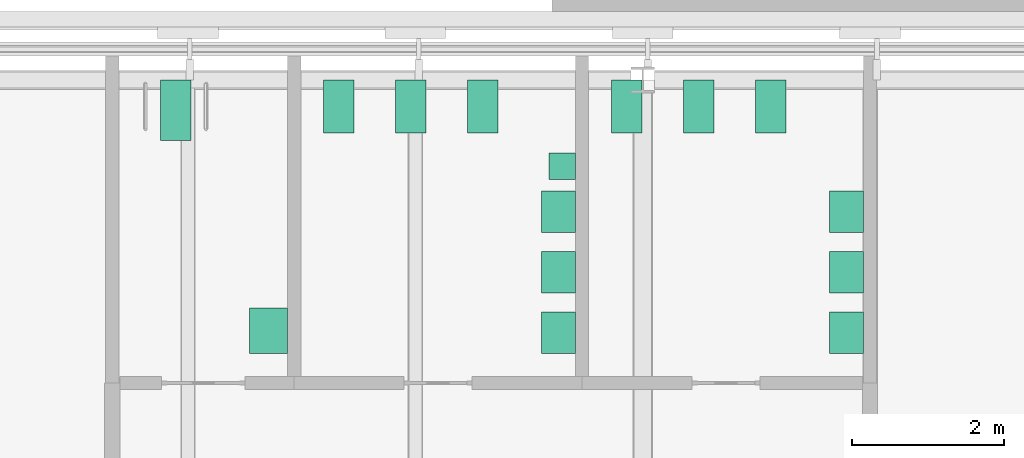
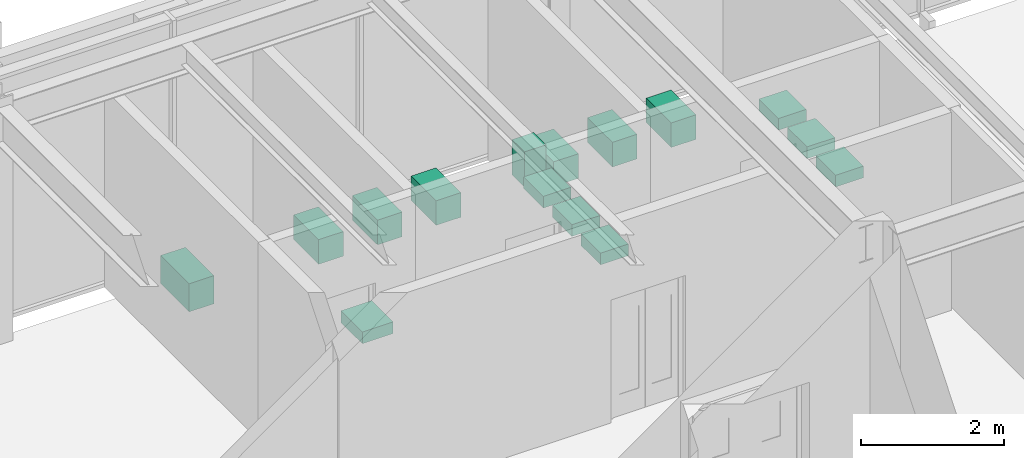
# One storey, part 24 of 24: 15 sanitary terminals.
"""IFC4 building model written with IfcOpenShell, lengths in metres."""

from ifc_helpers import new_model, si_unit, direction, frame, origin, origin_2d, place, context, subcontext, project, spatial, rectangle, extrude, material, type_object, element, save


model = new_model("IFC4")

# Units and contexts
model_context = context("Model", 3, precision=1e-05, world=origin(), true_north=direction((0.0, 1.0)))
body_context = subcontext(model_context, "Body", "Model", "MODEL_VIEW")
ifc_project = project(units=[si_unit("LENGTHUNIT", "METRE"), si_unit("AREAUNIT", "SQUARE_METRE"), si_unit("VOLUMEUNIT", "CUBIC_METRE"), si_unit("PLANEANGLEUNIT", "RADIAN"), si_unit("MASSUNIT", "GRAM", prefix="KILO")], contexts=[model_context])

# Site, building, storey
site_placement = place(None, origin())
site = spatial("IfcSite", under=ifc_project, at=site_placement, CompositionType="ELEMENT")
building_placement = place(site_placement, origin())
building = spatial("IfcBuilding", under=site, at=building_placement, Name="Baradari Gate Terminus", CompositionType="ELEMENT")
storey_placement = place(building_placement, frame((0.0, 0.0, 32.699951171875)))
storey = spatial("IfcBuildingStorey", under=building, at=storey_placement, Name="L07", CompositionType="ELEMENT", Elevation=32.699951171875)

# Sanitary terminals
ifc_material_1 = material(Name="Vitreous china", Category="ceramic")
sanitary_terminal_type_1 = type_object("IfcSanitaryTerminalType", Name="Accessible WC pan SW-5", PredefinedType="TOILETPAN", material=ifc_material_1)
sanitary_terminal_1_placement = place(storey_placement, frame((38.83740234375, 143.60009765625, 0.0), z_axis=(0.0, 0.0, 1.0), x_axis=(1.0, 0.0, 0.0)))
element("IfcSanitaryTerminal", 1, at=sanitary_terminal_1_placement, inside=storey, type_object=sanitary_terminal_type_1, Name="Accessible WC pan Accessible WC", PredefinedType="TOILETPAN", context=body_context, shape_type="SweptSolid", body=[
    extrude(rectangle(XDim=0.39990234375, YDim=0.800048828125, at=origin_2d()), origin(), (0.0, 0.0, 1.0), 0.47998046875),
])
ifc_material_2 = material(Name="Vitreous china", Category="ceramic")
sanitary_terminal_type_2 = type_object("IfcSanitaryTerminalType", Name="Accessible wash basin SW-6", PredefinedType="WASHHANDBASIN", material=ifc_material_2)
sanitary_terminal_2_placement = place(storey_placement, frame((40.0625, 140.6875, 0.75), z_axis=(0.0, 0.0, 1.0), x_axis=(1.0, 0.0, 0.0)))
element("IfcSanitaryTerminal", 2, at=sanitary_terminal_2_placement, inside=storey, type_object=sanitary_terminal_type_2, Name="Accessible wash basin Accessible WC", PredefinedType="WASHHANDBASIN", context=body_context, shape_type="SweptSolid", body=[
    extrude(rectangle(XDim=0.5, YDim=0.60009765625, at=origin_2d()), origin(), (0.0, 0.0, 1.0), 0.199951171875),
])
ifc_material_3 = material(Name="Vitreous china", Category="ceramic")
sanitary_terminal_type_3 = type_object("IfcSanitaryTerminalType", Name="Urinal SW-3", PredefinedType="URINAL", material=ifc_material_3)
sanitary_terminal_3_placement = place(storey_placement, frame((43.9375, 142.862548828125, 0.64990234375), z_axis=(0.0, 0.0, 1.0), x_axis=(1.0, 0.0, 0.0)))
element("IfcSanitaryTerminal", 3, at=sanitary_terminal_3_placement, inside=storey, type_object=sanitary_terminal_type_3, Name="Urinal Male WC", PredefinedType="URINAL", context=body_context, shape_type="SweptSolid", body=[
    extrude(rectangle(XDim=0.35009765625, YDim=0.35009765625, at=origin_2d()), origin(), (0.0, 0.0, 1.0), 0.60009765625),
])
ifc_material_4 = material(Name="Vitreous china", Category="ceramic")
sanitary_terminal_type_4 = type_object("IfcSanitaryTerminalType", Name="WC pan SW-1", PredefinedType="TOILETPAN", material=ifc_material_4)
for number, where, z_axis, x_axis, name in (
    (4, (40.987548828125, 143.64990234375, 0.0), (0.0, 0.0, 1.0), (1.0, 0.0, 0.0), "WC pan Male WC"),
    (5, (41.9375, 143.64990234375, 0.0), (0.0, 0.0, 1.0), (1.0, 0.0, 0.0), "WC pan Male WC"),
    (6, (42.887451171875, 143.64990234375, 0.0), (0.0, 0.0, 1.0), (1.0, 0.0, 0.0), "WC pan Male WC"),
    (7, (44.78759765625, 143.64990234375, 0.0), (0.0, 0.0, 1.0), (1.0, 0.0, 0.0), "WC pan Female WC"),
    (8, (45.737548828125, 143.64990234375, 0.0), (0.0, 0.0, 1.0), (1.0, 0.0, 0.0), "WC pan Female WC"),
    (9, (46.6875, 143.64990234375, 0.0), (0.0, 0.0, 1.0), (1.0, 0.0, 0.0), "WC pan Female WC"),
):
    element("IfcSanitaryTerminal", number, at=place(storey_placement, frame(where, z_axis=z_axis, x_axis=x_axis)), inside=storey, type_object=sanitary_terminal_type_4, Name=name, PredefinedType="TOILETPAN", context=body_context, shape_type="SweptSolid", body=[
        extrude(rectangle(XDim=0.39990234375, YDim=0.699951171875, at=origin_2d()), origin(), (0.0, 0.0, 1.0), 0.419921875),
    ])
ifc_material_5 = material(Name="Vitreous china", Category="ceramic")
sanitary_terminal_type_5 = type_object("IfcSanitaryTerminalType", Name="Wash basin SW-2", PredefinedType="WASHHANDBASIN", material=ifc_material_5)
for number, where, z_axis, x_axis, name in (
    (10, (43.887451171875, 140.66259765625, 0.75), (0.0, 0.0, 1.0), (1.0, 0.0, 0.0), "Wash basin Male WC"),
    (11, (43.887451171875, 141.46240234375, 0.75), (0.0, 0.0, 1.0), (1.0, 0.0, 0.0), "Wash basin Male WC"),
    (12, (43.887451171875, 142.262451171875, 0.75), (0.0, 0.0, 1.0), (1.0, 0.0, 0.0), "Wash basin Male WC"),
    (13, (47.6875, 140.66259765625, 0.75), (0.0, 0.0, 1.0), (1.0, 0.0, 0.0), "Wash basin Female WC"),
    (14, (47.6875, 141.46240234375, 0.75), (0.0, 0.0, 1.0), (1.0, 0.0, 0.0), "Wash basin Female WC"),
    (15, (47.6875, 142.262451171875, 0.75), (0.0, 0.0, 1.0), (1.0, 0.0, 0.0), "Wash basin Female WC"),
):
    element("IfcSanitaryTerminal", number, at=place(storey_placement, frame(where, z_axis=z_axis, x_axis=x_axis)), inside=storey, type_object=sanitary_terminal_type_5, Name=name, PredefinedType="WASHHANDBASIN", context=body_context, shape_type="SweptSolid", body=[
        extrude(rectangle(XDim=0.449951171875, YDim=0.550048828125, at=origin_2d()), origin(), (0.0, 0.0, 1.0), 0.199951171875),
    ])

save(model, "model.ifc")
